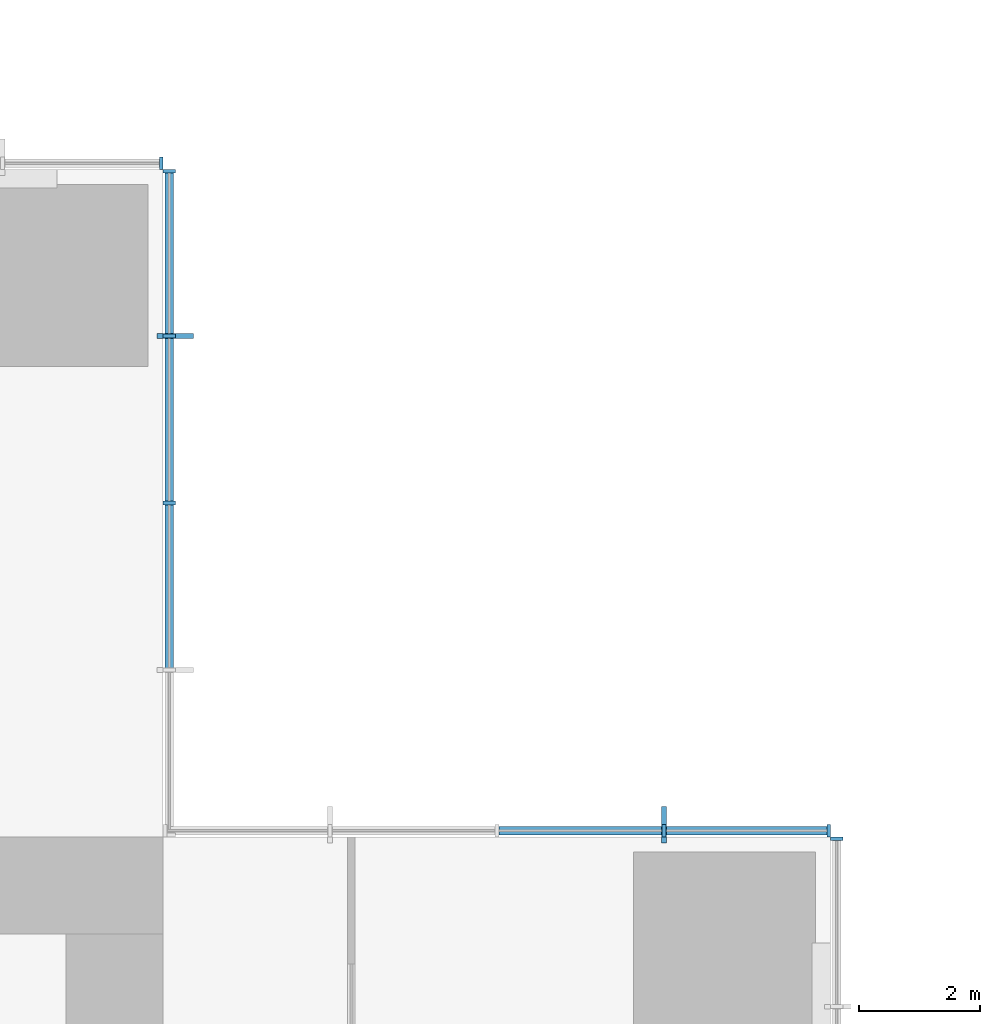
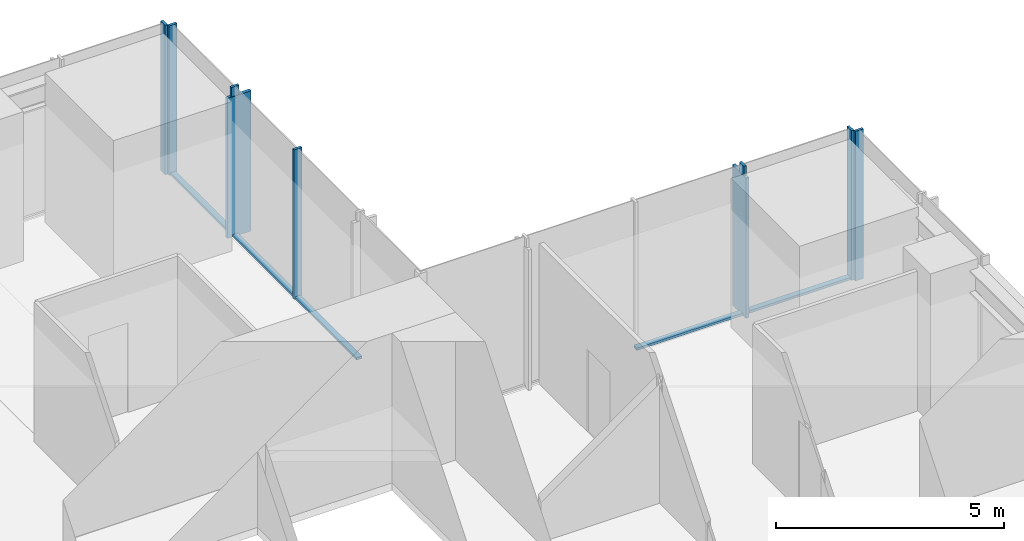
# One storey, part 6 of 13: 14 members, 4 elements without a shape of their own.
"""IFC4 building model written with IfcOpenShell, lengths in metres."""

from ifc_helpers import new_model, si_unit, direction, frame, origin, origin_2d, place, context, subcontext, project, spatial, rectangle, extrude, material, material_profile, profile_set, type_object, element, aggregate, save


model = new_model("IFC4")

# Units and contexts
model_context = context("Model", 3, precision=1e-05, world=origin(), true_north=direction((0.0, 1.0)))
body_context = subcontext(model_context, "Body", "Model", "MODEL_VIEW")
ifc_project = project(units=[si_unit("LENGTHUNIT", "METRE"), si_unit("AREAUNIT", "SQUARE_METRE"), si_unit("VOLUMEUNIT", "CUBIC_METRE"), si_unit("PLANEANGLEUNIT", "RADIAN"), si_unit("MASSUNIT", "GRAM", prefix="KILO")], contexts=[model_context])

# Site, building, storey
site_placement = place(None, origin())
site = spatial("IfcSite", under=ifc_project, at=site_placement, CompositionType="ELEMENT")
building_placement = place(site_placement, origin())
building = spatial("IfcBuilding", under=site, at=building_placement, Name="Svetlomir Tower", CompositionType="ELEMENT")
storey_placement = place(building_placement, frame((0.0, 0.0, 100.5)))
storey = spatial("IfcBuildingStorey", under=building, at=storey_placement, Name="L23", CompositionType="ELEMENT", Elevation=100.5)

# Curtain wall, member
ifc_material_1 = material(Name="Bronze anodised aluminium curtain wall", Category="aluminium")
curtain_wall_type = type_object("IfcCurtainWallType", Name="CURTAIN WALL CW1 TOWER OFFICE", PredefinedType="NOTDEFINED", material=ifc_material_1)
curtain_wall_1_placement = place(storey_placement, origin())
curtain_wall_1 = element("IfcCurtainWall", 1, at=curtain_wall_1_placement, inside=storey, type_object=curtain_wall_type, Name="Curtain wall CW1 L23", PredefinedType="NOTDEFINED")
ifc_material_2 = material(Name="Bronze anodised aluminium", Category="aluminium")
ifc_material_profile_1 = material_profile(ifc_material_2, rectangle(XDim=0.080078125, YDim=0.60009765625, at=origin_2d()), Name="FIN 80x600")
ifc_profile_set_1 = profile_set([ifc_material_profile_1], Name="Bronze anodised aluminium 6063-T6")
member_type_1 = type_object("IfcMemberType", Name="BRONZE FIN 80x600", PredefinedType="USERDEFINED", material=ifc_profile_set_1)
member_1_placement = place(storey_placement, frame((39.25, 31.199951171875, 0.0), z_axis=(0.0, 0.0, 1.0), x_axis=(1.0, 0.0, 0.0)))
member_1 = element("IfcMember", 2, at=member_1_placement, type_object=member_type_1, Name="Bronze fin L23", ObjectType="FIN", PredefinedType="USERDEFINED", context=body_context, shape_type="SweptSolid", body=[
    extrude(rectangle(XDim=0.080078125, YDim=0.60009765625, at=origin_2d()), origin(), (0.0, 0.0, 1.0), 3.75),
])

curtain_wall_2_placement = place(storey_placement, origin())
curtain_wall_2 = element("IfcCurtainWall", 3, at=curtain_wall_2_placement, inside=storey, type_object=curtain_wall_type, Name="Curtain wall CW1 L23", PredefinedType="NOTDEFINED")
member_2_placement = place(storey_placement, frame((31.199951171875, 39.25, 0.0), z_axis=(0.0, 0.0, 1.0), x_axis=(0.0, 1.0, 0.0)))
member_2 = element("IfcMember", 4, at=member_2_placement, type_object=member_type_1, Name="Bronze fin L23", ObjectType="FIN", PredefinedType="USERDEFINED", context=body_context, shape_type="SweptSolid", body=[
    extrude(rectangle(XDim=0.080078125, YDim=0.60009765625, at=origin_2d()), origin(), (0.0, 0.0, 1.0), 3.75),
])

curtain_wall_3_placement = place(storey_placement, origin())
curtain_wall_3 = element("IfcCurtainWall", 5, at=curtain_wall_3_placement, inside=storey, type_object=curtain_wall_type, Name="Curtain wall CW1 L23", PredefinedType="NOTDEFINED")
ifc_material_3 = material(Name="Bronze anodised aluminium", Category="aluminium")
ifc_material_profile_2 = material_profile(ifc_material_3, rectangle(XDim=0.06494140625, YDim=0.199951171875, at=origin_2d()), Name="AL 65x200")
ifc_profile_set_2 = profile_set([ifc_material_profile_2], Name="Bronze anodised aluminium 6063-T6")
member_type_2 = type_object("IfcMemberType", Name="CW1 MULLION 65x200", PredefinedType="MULLION", material=ifc_profile_set_2)
member_3_placement = place(storey_placement, frame((42.10009765625, 30.967529296875, 0.0), z_axis=(0.0, 0.0, 1.0), x_axis=(0.0, 1.0, 0.0)))
member_3 = element("IfcMember", 6, at=member_3_placement, type_object=member_type_2, Name="CW1 mullion 3", PredefinedType="MULLION", context=body_context, shape_type="SweptSolid", body=[
    extrude(rectangle(XDim=0.06494140625, YDim=0.199951171875, at=origin_2d()), origin(), (0.0, 0.0, 1.0), 4.0),
])
aggregate(curtain_wall_3, [member_3])

# Member
member_4_placement = place(storey_placement, frame((41.967529296875, 31.10009765625, 0.0), z_axis=(0.0, 0.0, 1.0), x_axis=(-1.0, 0.0, 0.0)))
member_4 = element("IfcMember", 7, at=member_4_placement, type_object=member_type_2, Name="CW1 mullion 1", PredefinedType="MULLION", context=body_context, shape_type="SweptSolid", body=[
    extrude(rectangle(XDim=0.06494140625, YDim=0.199951171875, at=origin_2d()), origin(), (0.0, 0.0, 1.0), 4.0),
])

member_5_placement = place(storey_placement, frame((39.25, 31.10009765625, 0.0), z_axis=(0.0, 0.0, 1.0), x_axis=(-1.0, 0.0, 0.0)))
member_5 = element("IfcMember", 8, at=member_5_placement, type_object=member_type_2, Name="CW1 mullion 2", PredefinedType="MULLION", context=body_context, shape_type="SweptSolid", body=[
    extrude(rectangle(XDim=0.06494140625, YDim=0.199951171875, at=origin_2d()), origin(), (0.0, 0.0, 1.0), 4.0),
])

member_6_placement = place(storey_placement, frame((31.10009765625, 36.5, 0.0), z_axis=(0.0, 0.0, 1.0), x_axis=(0.0, 1.0, 0.0)))
member_6 = element("IfcMember", 9, at=member_6_placement, type_object=member_type_2, Name="CW1 mullion 3", PredefinedType="MULLION", context=body_context, shape_type="SweptSolid", body=[
    extrude(rectangle(XDim=0.06494140625, YDim=0.199951171875, at=origin_2d()), origin(), (0.0, 0.0, 1.0), 4.0),
])

member_7_placement = place(storey_placement, frame((31.10009765625, 39.25, 0.0), z_axis=(0.0, 0.0, 1.0), x_axis=(0.0, 1.0, 0.0)))
member_7 = element("IfcMember", 10, at=member_7_placement, type_object=member_type_2, Name="CW1 mullion 4", PredefinedType="MULLION", context=body_context, shape_type="SweptSolid", body=[
    extrude(rectangle(XDim=0.06494140625, YDim=0.199951171875, at=origin_2d()), origin(), (0.0, 0.0, 1.0), 4.0),
])

member_8_placement = place(storey_placement, frame((31.10009765625, 41.967529296875, 0.0), z_axis=(0.0, 0.0, 1.0), x_axis=(0.0, 1.0, 0.0)))
member_8 = element("IfcMember", 11, at=member_8_placement, type_object=member_type_2, Name="CW1 mullion 5", PredefinedType="MULLION", context=body_context, shape_type="SweptSolid", body=[
    extrude(rectangle(XDim=0.06494140625, YDim=0.199951171875, at=origin_2d()), origin(), (0.0, 0.0, 1.0), 4.0),
])

# Curtain wall, member
curtain_wall_4_placement = place(storey_placement, origin())
curtain_wall_4 = element("IfcCurtainWall", 12, at=curtain_wall_4_placement, inside=storey, type_object=curtain_wall_type, Name="Curtain wall CW1 L23", PredefinedType="NOTDEFINED")
member_9_placement = place(storey_placement, frame((30.967529296875, 42.10009765625, 0.0), z_axis=(0.0, 0.0, 1.0), x_axis=(-1.0, 0.0, 0.0)))
member_9 = element("IfcMember", 13, at=member_9_placement, type_object=member_type_2, Name="CW1 mullion 1", PredefinedType="MULLION", context=body_context, shape_type="SweptSolid", body=[
    extrude(rectangle(XDim=0.06494140625, YDim=0.199951171875, at=origin_2d()), origin(), (0.0, 0.0, 1.0), 4.0),
])
aggregate(curtain_wall_4, [member_9])

# Member
ifc_material_4 = material(Name="Bronze anodised aluminium", Category="aluminium")
ifc_material_profile_3 = material_profile(ifc_material_4, rectangle(XDim=0.139892578125, YDim=0.06494140625, at=origin_2d()), Name="AL 140x65")
ifc_profile_set_3 = profile_set([ifc_material_profile_3], Name="Bronze anodised aluminium 6063-T6")
member_type_3 = type_object("IfcMemberType", Name="CW1 TRANSOM 65x140", PredefinedType="USERDEFINED", material=ifc_profile_set_3)
member_10_placement = place(storey_placement, frame((41.93505859375, 31.10009765625, 0.032470703125), z_axis=(-1.0, 0.0, 0.0), x_axis=(0.0, -1.0, 0.0)))
member_10 = element("IfcMember", 14, at=member_10_placement, type_object=member_type_3, Name="CW1 transom 1.1", ObjectType="TRANSOM", PredefinedType="USERDEFINED", context=body_context, shape_type="SweptSolid", body=[
    extrude(rectangle(XDim=0.139892578125, YDim=0.06494140625, at=origin_2d()), origin(), (0.0, 0.0, 1.0), 2.652587890625),
])

member_11_placement = place(storey_placement, frame((39.217529296875, 31.10009765625, 0.032470703125), z_axis=(-1.0, 0.0, 0.0), x_axis=(0.0, -1.0, 0.0)))
member_11 = element("IfcMember", 15, at=member_11_placement, type_object=member_type_3, Name="CW1 transom 2.1", ObjectType="TRANSOM", PredefinedType="USERDEFINED", context=body_context, shape_type="SweptSolid", body=[
    extrude(rectangle(XDim=0.139892578125, YDim=0.06494140625, at=origin_2d()), origin(), (0.0, 0.0, 1.0), 2.68505859375),
])

aggregate(curtain_wall_1, [member_4, member_5, member_10, member_11, member_1])

member_12_placement = place(storey_placement, frame((31.10009765625, 33.782470703125, 0.032470703125), z_axis=(0.0, 1.0, 0.0), x_axis=(-1.0, 0.0, 0.0)))
member_12 = element("IfcMember", 16, at=member_12_placement, type_object=member_type_3, Name="CW1 transom 2.1", ObjectType="TRANSOM", PredefinedType="USERDEFINED", context=body_context, shape_type="SweptSolid", body=[
    extrude(rectangle(XDim=0.139892578125, YDim=0.06494140625, at=origin_2d()), origin(), (0.0, 0.0, 1.0), 2.68505859375),
])

member_13_placement = place(storey_placement, frame((31.10009765625, 36.532470703125, 0.032470703125), z_axis=(0.0, 1.0, 0.0), x_axis=(-1.0, 0.0, 0.0)))
member_13 = element("IfcMember", 17, at=member_13_placement, type_object=member_type_3, Name="CW1 transom 3.1", ObjectType="TRANSOM", PredefinedType="USERDEFINED", context=body_context, shape_type="SweptSolid", body=[
    extrude(rectangle(XDim=0.139892578125, YDim=0.06494140625, at=origin_2d()), origin(), (0.0, 0.0, 1.0), 2.68505859375),
])

member_14_placement = place(storey_placement, frame((31.10009765625, 39.282470703125, 0.032470703125), z_axis=(0.0, 1.0, 0.0), x_axis=(-1.0, 0.0, 0.0)))
member_14 = element("IfcMember", 18, at=member_14_placement, type_object=member_type_3, Name="CW1 transom 4.1", ObjectType="TRANSOM", PredefinedType="USERDEFINED", context=body_context, shape_type="SweptSolid", body=[
    extrude(rectangle(XDim=0.139892578125, YDim=0.06494140625, at=origin_2d()), origin(), (0.0, 0.0, 1.0), 2.652587890625),
])

aggregate(curtain_wall_2, [member_6, member_7, member_8, member_12, member_13, member_14, member_2])

save(model, "model.ifc")
